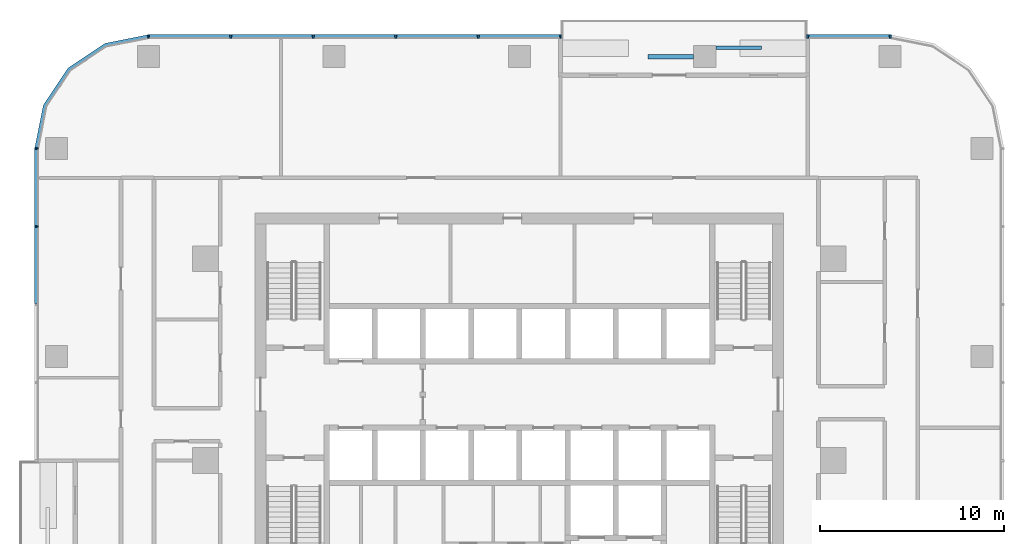
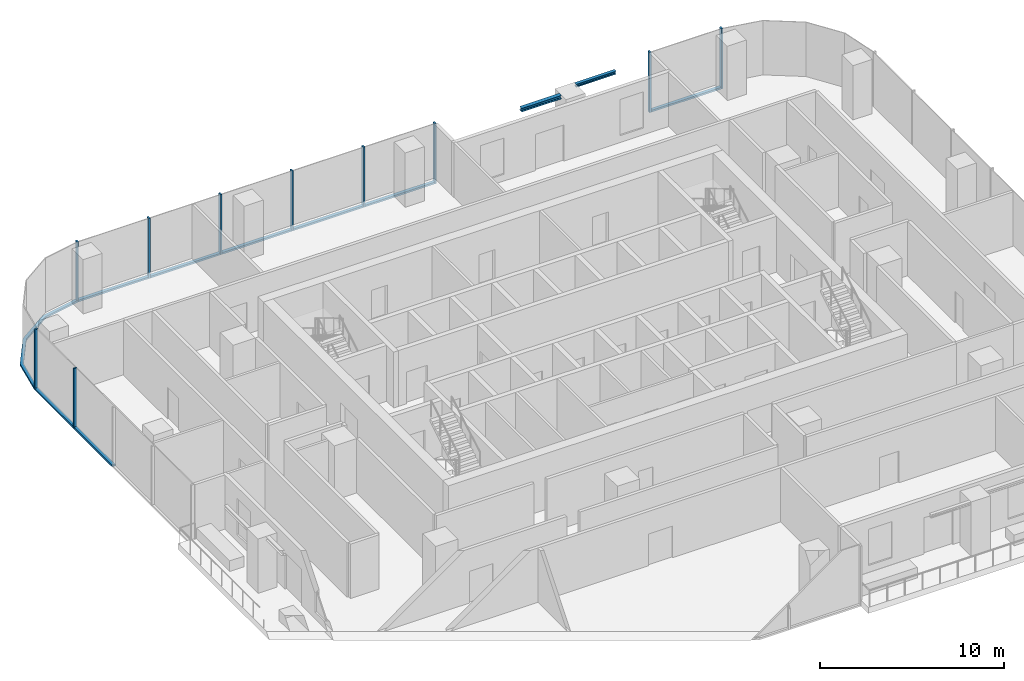
# One storey, part 4 of 14: 19 members, 2 beams, 4 elements without a shape of their own.
"""IFC4 building model written with IfcOpenShell, lengths in metres."""

from ifc_helpers import new_model, si_unit, direction, frame, origin, origin_2d, place, context, subcontext, project, spatial, polyline, rectangle, i_section, outline, extrude, material, material_profile, profile_set, type_object, element, aggregate, save


model = new_model("IFC4")

# Units and contexts
model_context = context("Model", 3, precision=1e-05, world=origin(), true_north=direction((0.0, 1.0)))
body_context = subcontext(model_context, "Body", "Model", "MODEL_VIEW")
ifc_project = project(units=[si_unit("LENGTHUNIT", "METRE"), si_unit("AREAUNIT", "SQUARE_METRE"), si_unit("VOLUMEUNIT", "CUBIC_METRE"), si_unit("PLANEANGLEUNIT", "RADIAN"), si_unit("MASSUNIT", "GRAM", prefix="KILO")], contexts=[model_context])

# Site, building, storey
site_placement = place(None, origin())
site = spatial("IfcSite", under=ifc_project, at=site_placement, CompositionType="ELEMENT")
building_placement = place(site_placement, origin())
building = spatial("IfcBuilding", under=site, at=building_placement, Name="Mopane Tessera Tower", CompositionType="ELEMENT")
storey_placement = place(building_placement, frame((0.0, 0.0, 197.0)))
storey = spatial("IfcBuildingStorey", under=building, at=storey_placement, Name="L41", CompositionType="ELEMENT", Elevation=197.0)

# Curtain wall, members
ifc_material_1 = material(Name="Aluminium frame", Category="aluminium")
curtain_wall_type = type_object("IfcCurtainWallType", Name="Unitised curtain wall", PredefinedType="NOTDEFINED", material=ifc_material_1)
curtain_wall_1_placement = place(storey_placement, origin())
curtain_wall_1 = element("IfcCurtainWall", 1, at=curtain_wall_1_placement, inside=storey, type_object=curtain_wall_type, Name="e:cw:L41:N:0", PredefinedType="NOTDEFINED")
ifc_material_2 = material(Name="Aluminium frame", Category="aluminium")
ifc_material_profile_1 = material_profile(ifc_material_2, rectangle(XDim=0.10009765625, YDim=0.199951171875, at=origin_2d()))
ifc_profile_set_1 = profile_set([ifc_material_profile_1], Name="Aluminium frame")
member_type_1 = type_object("IfcMemberType", Name="Aluminium mullion 100 x 200", PredefinedType="MULLION", material=ifc_profile_set_1)
member_1_placement = place(storey_placement, frame((20.199951171875, 23.10009765625, -0.39990234375), z_axis=(0.0, 0.0, 1.0), x_axis=(-1.0, 0.0, 0.0)))
member_1 = element("IfcMember", 2, at=member_1_placement, type_object=member_type_1, Name="e:cw:L41:N:0:mu0", PredefinedType="MULLION", context=body_context, shape_type="SweptSolid", body=[
    extrude(rectangle(XDim=0.10009765625, YDim=0.199951171875, at=origin_2d()), origin(), (0.0, 0.0, 1.0), 4.0),
])
member_2_placement = place(storey_placement, frame((15.711181640625, 23.10009765625, -0.39990234375), z_axis=(0.0, 0.0, 1.0), x_axis=(-1.0, 0.0, 0.0)))
member_2 = element("IfcMember", 3, at=member_2_placement, type_object=member_type_1, Name="e:cw:L41:N:0:mu1", PredefinedType="MULLION", context=body_context, shape_type="SweptSolid", body=[
    extrude(rectangle(XDim=0.10009765625, YDim=0.199951171875, at=origin_2d()), origin(), (0.0, 0.0, 1.0), 4.0),
])

curtain_wall_2_placement = place(storey_placement, origin())
curtain_wall_2 = element("IfcCurtainWall", 4, at=curtain_wall_2_placement, inside=storey, type_object=curtain_wall_type, Name="e:cw:L41:N:4", PredefinedType="NOTDEFINED")
member_3_placement = place(storey_placement, frame((2.244384765625, 23.10009765625, -0.39990234375), z_axis=(0.0, 0.0, 1.0), x_axis=(-1.0, 0.0, 0.0)))
member_3 = element("IfcMember", 5, at=member_3_placement, type_object=member_type_1, Name="e:cw:L41:N:4:mu4", PredefinedType="MULLION", context=body_context, shape_type="SweptSolid", body=[
    extrude(rectangle(XDim=0.10009765625, YDim=0.199951171875, at=origin_2d()), origin(), (0.0, 0.0, 1.0), 4.0),
])
member_4_placement = place(storey_placement, frame((-2.244384765625, 23.10009765625, -0.39990234375), z_axis=(0.0, 0.0, 1.0), x_axis=(-1.0, 0.0, 0.0)))
member_4 = element("IfcMember", 6, at=member_4_placement, type_object=member_type_1, Name="e:cw:L41:N:4:mu5", PredefinedType="MULLION", context=body_context, shape_type="SweptSolid", body=[
    extrude(rectangle(XDim=0.10009765625, YDim=0.199951171875, at=origin_2d()), origin(), (0.0, 0.0, 1.0), 4.0),
])
member_5_placement = place(storey_placement, frame((-6.7333984375, 23.10009765625, -0.39990234375), z_axis=(0.0, 0.0, 1.0), x_axis=(-1.0, 0.0, 0.0)))
member_5 = element("IfcMember", 7, at=member_5_placement, type_object=member_type_1, Name="e:cw:L41:N:4:mu6", PredefinedType="MULLION", context=body_context, shape_type="SweptSolid", body=[
    extrude(rectangle(XDim=0.10009765625, YDim=0.199951171875, at=origin_2d()), origin(), (0.0, 0.0, 1.0), 4.0),
])
member_6_placement = place(storey_placement, frame((-11.22216796875, 23.10009765625, -0.39990234375), z_axis=(0.0, 0.0, 1.0), x_axis=(-1.0, 0.0, 0.0)))
member_6 = element("IfcMember", 8, at=member_6_placement, type_object=member_type_1, Name="e:cw:L41:N:4:mu7", PredefinedType="MULLION", context=body_context, shape_type="SweptSolid", body=[
    extrude(rectangle(XDim=0.10009765625, YDim=0.199951171875, at=origin_2d()), origin(), (0.0, 0.0, 1.0), 4.0),
])
member_7_placement = place(storey_placement, frame((-15.711181640625, 23.10009765625, -0.39990234375), z_axis=(0.0, 0.0, 1.0), x_axis=(-1.0, 0.0, 0.0)))
member_7 = element("IfcMember", 9, at=member_7_placement, type_object=member_type_1, Name="e:cw:L41:N:4:mu8", PredefinedType="MULLION", context=body_context, shape_type="SweptSolid", body=[
    extrude(rectangle(XDim=0.10009765625, YDim=0.199951171875, at=origin_2d()), origin(), (0.0, 0.0, 1.0), 4.0),
])
member_8_placement = place(storey_placement, frame((-20.199951171875, 23.10009765625, -0.39990234375), z_axis=(0.0, 0.0, 1.0), x_axis=(-1.0, 0.0, 0.0)))
member_8 = element("IfcMember", 10, at=member_8_placement, type_object=member_type_1, Name="e:cw:L41:N:4:mu9", PredefinedType="MULLION", context=body_context, shape_type="SweptSolid", body=[
    extrude(rectangle(XDim=0.10009765625, YDim=0.199951171875, at=origin_2d()), origin(), (0.0, 0.0, 1.0), 4.0),
])

curtain_wall_3_placement = place(storey_placement, origin())
curtain_wall_3 = element("IfcCurtainWall", 11, at=curtain_wall_3_placement, inside=storey, type_object=curtain_wall_type, Name="e:cw:L41:W:0", PredefinedType="NOTDEFINED")
member_9_placement = place(storey_placement, frame((-26.300048828125, 17.0, -0.39990234375), z_axis=(0.0, 0.0, 1.0), x_axis=(0.0, -1.0, 0.0)))
member_9 = element("IfcMember", 12, at=member_9_placement, type_object=member_type_1, Name="e:cw:L41:W:0:mu0", PredefinedType="MULLION", context=body_context, shape_type="SweptSolid", body=[
    extrude(rectangle(XDim=0.10009765625, YDim=0.199951171875, at=origin_2d()), origin(), (0.0, 0.0, 1.0), 4.0),
])
member_10_placement = place(storey_placement, frame((-26.300048828125, 12.75, -0.39990234375), z_axis=(0.0, 0.0, 1.0), x_axis=(0.0, -1.0, 0.0)))
member_10 = element("IfcMember", 13, at=member_10_placement, type_object=member_type_1, Name="e:cw:L41:W:0:mu1", PredefinedType="MULLION", context=body_context, shape_type="SweptSolid", body=[
    extrude(rectangle(XDim=0.10009765625, YDim=0.199951171875, at=origin_2d()), origin(), (0.0, 0.0, 1.0), 4.0),
])

# Member
ifc_material_3 = material(Name="Aluminium frame", Category="aluminium")
ifc_material_profile_2 = material_profile(ifc_material_3, rectangle(XDim=0.199951171875, YDim=0.1201171875, at=origin_2d()))
ifc_profile_set_2 = profile_set([ifc_material_profile_2], Name="Aluminium frame")
member_type_2 = type_object("IfcMemberType", Name="Aluminium transom 200 x 120", PredefinedType="USERDEFINED", material=ifc_profile_set_2)
member_11_placement = place(storey_placement, frame((20.14990234375, 23.10009765625, -0.340087890625), z_axis=(-1.0, 0.0, 0.0), x_axis=(0.0, -1.0, 0.0)))
member_11 = element("IfcMember", 14, at=member_11_placement, type_object=member_type_2, Name="e:cw:L41:N:0:tr0", ObjectType="TRANSOM", PredefinedType="USERDEFINED", context=body_context, shape_type="SweptSolid", body=[
    extrude(rectangle(XDim=0.199951171875, YDim=0.1201171875, at=origin_2d()), origin(), (0.0, 0.0, 1.0), 4.388671875),
])

aggregate(curtain_wall_1, [member_1, member_2, member_11])

member_12_placement = place(storey_placement, frame((2.1943359375, 23.10009765625, -0.340087890625), z_axis=(-1.0, 0.0, 0.0), x_axis=(0.0, -1.0, 0.0)))
member_12 = element("IfcMember", 15, at=member_12_placement, type_object=member_type_2, Name="e:cw:L41:N:4:tr4", ObjectType="TRANSOM", PredefinedType="USERDEFINED", context=body_context, shape_type="SweptSolid", body=[
    extrude(rectangle(XDim=0.199951171875, YDim=0.1201171875, at=origin_2d()), origin(), (0.0, 0.0, 1.0), 4.388671875),
])

member_13_placement = place(storey_placement, frame((-2.29443359375, 23.10009765625, -0.340087890625), z_axis=(-1.0, 0.0, 0.0), x_axis=(0.0, -1.0, 0.0)))
member_13 = element("IfcMember", 16, at=member_13_placement, type_object=member_type_2, Name="e:cw:L41:N:4:tr5", ObjectType="TRANSOM", PredefinedType="USERDEFINED", context=body_context, shape_type="SweptSolid", body=[
    extrude(rectangle(XDim=0.199951171875, YDim=0.1201171875, at=origin_2d()), origin(), (0.0, 0.0, 1.0), 4.388916015625),
])

member_14_placement = place(storey_placement, frame((-6.783447265625, 23.10009765625, -0.340087890625), z_axis=(-1.0, 0.0, 0.0), x_axis=(0.0, -1.0, 0.0)))
member_14 = element("IfcMember", 17, at=member_14_placement, type_object=member_type_2, Name="e:cw:L41:N:4:tr6", ObjectType="TRANSOM", PredefinedType="USERDEFINED", context=body_context, shape_type="SweptSolid", body=[
    extrude(rectangle(XDim=0.199951171875, YDim=0.1201171875, at=origin_2d()), origin(), (0.0, 0.0, 1.0), 4.388671875),
])

member_15_placement = place(storey_placement, frame((-11.272216796875, 23.10009765625, -0.340087890625), z_axis=(-1.0, 0.0, 0.0), x_axis=(0.0, -1.0, 0.0)))
member_15 = element("IfcMember", 18, at=member_15_placement, type_object=member_type_2, Name="e:cw:L41:N:4:tr7", ObjectType="TRANSOM", PredefinedType="USERDEFINED", context=body_context, shape_type="SweptSolid", body=[
    extrude(rectangle(XDim=0.199951171875, YDim=0.1201171875, at=origin_2d()), origin(), (0.0, 0.0, 1.0), 4.388916015625),
])

member_16_placement = place(storey_placement, frame((-15.76123046875, 23.10009765625, -0.340087890625), z_axis=(-1.0, 0.0, 0.0), x_axis=(0.0, -1.0, 0.0)))
member_16 = element("IfcMember", 19, at=member_16_placement, type_object=member_type_2, Name="e:cw:L41:N:4:tr8", ObjectType="TRANSOM", PredefinedType="USERDEFINED", context=body_context, shape_type="SweptSolid", body=[
    extrude(rectangle(XDim=0.199951171875, YDim=0.1201171875, at=origin_2d()), origin(), (0.0, 0.0, 1.0), 4.388671875),
])

aggregate(curtain_wall_2, [member_3, member_4, member_5, member_6, member_7, member_8, member_12, member_13, member_14, member_15, member_16])

# Curtain wall, member
curtain_wall_4_placement = place(storey_placement, origin())
curtain_wall_4 = element("IfcCurtainWall", 20, at=curtain_wall_4_placement, inside=storey, type_object=curtain_wall_type, Name="e:cw:L41:CN", PredefinedType="NOTDEFINED")
member_17_placement = place(storey_placement, frame((0.0, 0.0, -0.39990234375)))
member_17 = element("IfcMember", 21, at=member_17_placement, type_object=member_type_2, Name="e:cw:L41:CN:tr", ObjectType="TRANSOM", PredefinedType="USERDEFINED", context=body_context, shape_type="SweptSolid", body=[
    extrude(outline(polyline([(-20.199951171875, 23.0), (-22.49609375, 22.543212890625), (-24.442626953125, 21.24267578125), (-25.7431640625, 19.296142578125), (-26.199951171875, 17.0), (-26.39990234375, 17.0), (-25.927978515625, 19.37255859375), (-24.583984375, 21.384033203125), (-22.57275390625, 22.72802734375), (-20.199951171875, 23.199951171875), (-20.199951171875, 23.0)])), origin(), (0.0, 0.0, 1.0), 0.119873046875),
])
aggregate(curtain_wall_4, [member_17])

# Member
member_18_placement = place(storey_placement, frame((-26.300048828125, 16.949951171875, -0.340087890625), z_axis=(0.0, -1.0, 0.0), x_axis=(1.0, 0.0, 0.0)))
member_18 = element("IfcMember", 22, at=member_18_placement, type_object=member_type_2, Name="e:cw:L41:W:0:tr0", ObjectType="TRANSOM", PredefinedType="USERDEFINED", context=body_context, shape_type="SweptSolid", body=[
    extrude(rectangle(XDim=0.199951171875, YDim=0.1201171875, at=origin_2d()), origin(), (0.0, 0.0, 1.0), 4.14990234375),
])

member_19_placement = place(storey_placement, frame((-26.300048828125, 12.699951171875, -0.340087890625), z_axis=(0.0, -1.0, 0.0), x_axis=(1.0, 0.0, 0.0)))
member_19 = element("IfcMember", 23, at=member_19_placement, type_object=member_type_2, Name="e:cw:L41:W:0:tr1", ObjectType="TRANSOM", PredefinedType="USERDEFINED", context=body_context, shape_type="SweptSolid", body=[
    extrude(rectangle(XDim=0.199951171875, YDim=0.1201171875, at=origin_2d()), origin(), (0.0, 0.0, 1.0), 4.14990234375),
])

aggregate(curtain_wall_3, [member_9, member_10, member_18, member_19])

# Beams
ifc_material_4 = material(Name="Structural steel S460", Category="steel")
ifc_material_profile_3 = material_profile(ifc_material_4, i_section(OverallWidth=0.239990234375, OverallDepth=0.239990234375, WebThickness=0.010009765625, FlangeThickness=0.01708984375, FilletRadius=0.02099609375, at=origin_2d()))
ifc_profile_set_3 = profile_set([ifc_material_profile_3], Name="Structural steel S460")
beam_type_1 = type_object("IfcBeamType", Name="Terrace spandrel beam HE 240 B", PredefinedType="SPANDREL", material=ifc_profile_set_3)
beam_1_placement = place(storey_placement, frame((9.4970703125, 22.0, 3.47998046875), z_axis=(-1.0, 0.0, 0.0), x_axis=(0.0, -1.0, 0.0)))
element("IfcBeam", 24, at=beam_1_placement, inside=storey, type_object=beam_type_1, Name="Terrace spandrel beam N3 L42", PredefinedType="SPANDREL", context=body_context, shape_type="SweptSolid", body=[
    extrude(i_section(OverallWidth=0.239990234375, OverallDepth=0.239990234375, WebThickness=0.010009765625, FlangeThickness=0.01708984375, FilletRadius=0.02099609375, at=origin_2d()), origin(), (0.0, 0.0, 1.0), 2.5),
])
ifc_material_5 = material(Name="Structural steel S460", Category="steel")
ifc_material_profile_4 = material_profile(ifc_material_5, i_section(OverallWidth=0.199951171875, OverallDepth=0.199951171875, WebThickness=0.009033203125, FlangeThickness=0.014892578125, FilletRadius=0.01806640625, at=origin_2d()))
ifc_profile_set_4 = profile_set([ifc_material_profile_4], Name="Structural steel S460")
beam_type_2 = type_object("IfcBeamType", Name="Terrace trimmer beam HE 200 B", PredefinedType="BEAM", material=ifc_profile_set_4)
beam_2_placement = place(storey_placement, frame((10.703125, 22.47998046875, 3.5), z_axis=(1.0, 0.0, 0.0), x_axis=(0.0, 1.0, 0.0)))
element("IfcBeam", 25, at=beam_2_placement, inside=storey, type_object=beam_type_2, Name="Terrace trimmer beam N3 L42", PredefinedType="BEAM", context=body_context, shape_type="SweptSolid", body=[
    extrude(i_section(OverallWidth=0.199951171875, OverallDepth=0.199951171875, WebThickness=0.009033203125, FlangeThickness=0.014892578125, FilletRadius=0.01806640625, at=origin_2d()), origin(), (0.0, 0.0, 1.0), 2.5),
])

save(model, "model.ifc")
